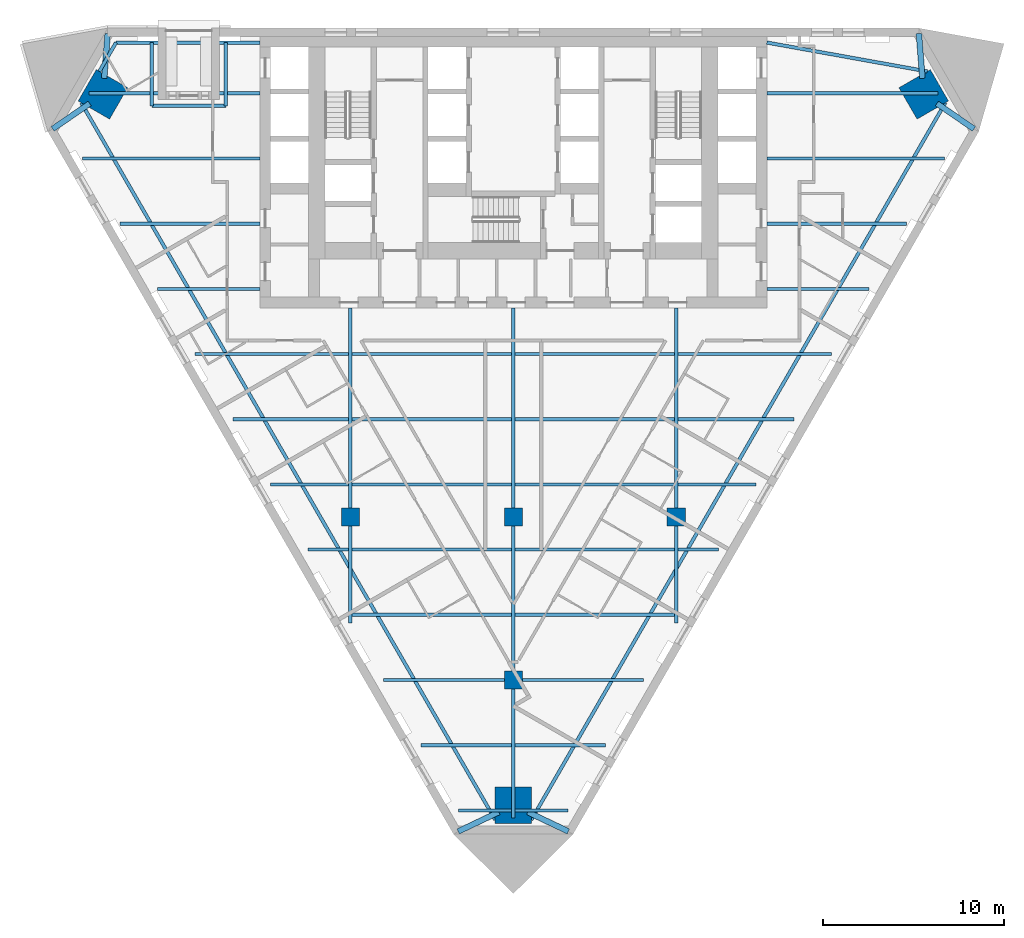
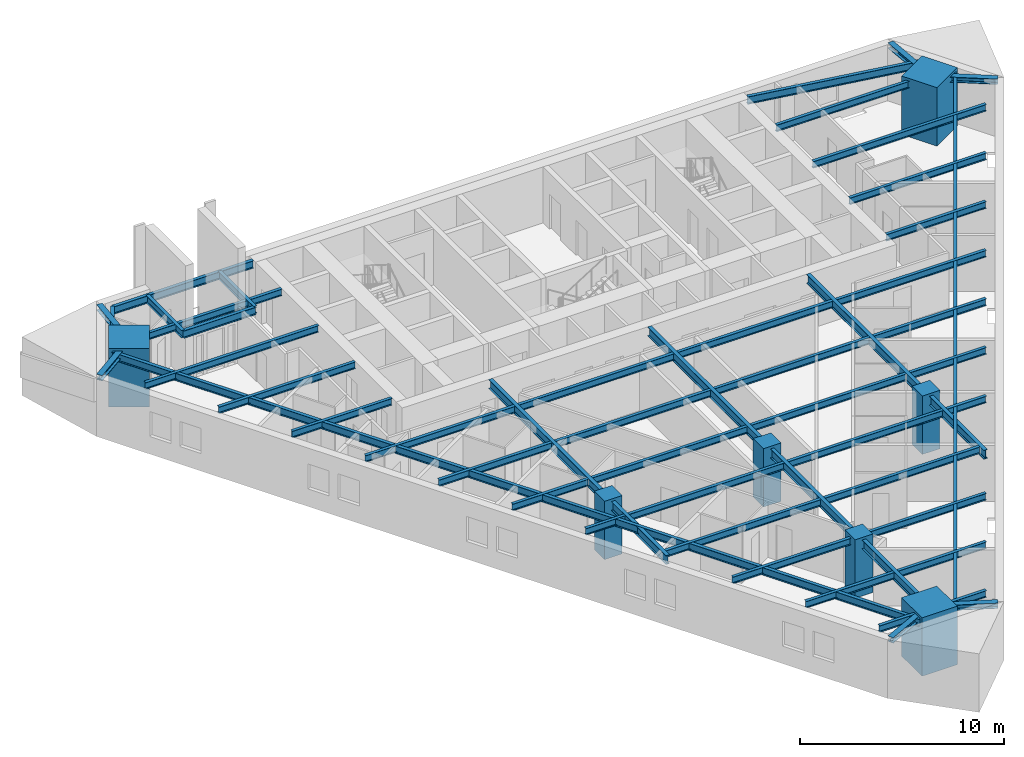
# One storey, part 1 of 10: 53 beams, 7 columns.
"""IFC4 building model written with IfcOpenShell, lengths in metres."""

from ifc_helpers import new_model, si_unit, direction, frame, origin, origin_2d, place, context, subcontext, project, spatial, rectangle, i_section, extrude, material, material_profile, profile_set, type_object, element, save


model = new_model("IFC4")

# Units and contexts
model_context = context("Model", 3, precision=1e-05, world=origin(), true_north=direction((0.0, 1.0)))
body_context = subcontext(model_context, "Body", "Model", "MODEL_VIEW")
ifc_project = project(units=[si_unit("LENGTHUNIT", "METRE"), si_unit("AREAUNIT", "SQUARE_METRE"), si_unit("VOLUMEUNIT", "CUBIC_METRE"), si_unit("PLANEANGLEUNIT", "RADIAN"), si_unit("MASSUNIT", "GRAM", prefix="KILO")], contexts=[model_context])

# Site, building, storey
site_placement = place(None, origin())
site = spatial("IfcSite", under=ifc_project, at=site_placement, CompositionType="ELEMENT")
building_placement = place(site_placement, origin())
building = spatial("IfcBuilding", under=site, at=building_placement, Name="Aloe Facet Convention Tower", CompositionType="ELEMENT")
storey_placement = place(building_placement, frame((0.0, 0.0, 45.5)))
storey = spatial("IfcBuildingStorey", under=building, at=storey_placement, Name="L09", CompositionType="ELEMENT", Elevation=45.5)

# Columns
ifc_material_1 = material(Name="Concrete C70/85", Category="concrete")
ifc_material_profile_1 = material_profile(ifc_material_1, rectangle(XDim=1.0, YDim=1.0, at=origin_2d()), Name="SF-GC-Z1")
ifc_profile_set_1 = profile_set([ifc_material_profile_1], Name="Concrete C70/85")
column_type_1 = type_object("IfcColumnType", Name="SF-GC-Z1", PredefinedType="COLUMN", material=ifc_profile_set_1)
for number, where, z_axis, x_axis, name in (
    (1, (71.0, 108.0, 0.0), (0.0, 0.0, 1.0), (1.0, 0.0, 0.0), "Gravity column GC-Z1-8D"),
    (2, (80.0, 99.0, 0.0), (0.0, 0.0, 1.0), (1.0, 0.0, 0.0), "Gravity column GC-Z1-9E"),
    (3, (80.0, 108.0, 0.0), (0.0, 0.0, 1.0), (1.0, 0.0, 0.0), "Gravity column GC-Z1-9D"),
    (4, (89.0, 108.0, 0.0), (0.0, 0.0, 1.0), (1.0, 0.0, 0.0), "Gravity column GC-Z1-10D"),
):
    element("IfcColumn", number, at=place(storey_placement, frame(where, z_axis=z_axis, x_axis=x_axis)), inside=storey, type_object=column_type_1, Name=name, PredefinedType="COLUMN", context=body_context, shape_type="SweptSolid", body=[
        extrude(rectangle(XDim=1.0, YDim=1.0, at=origin_2d()), origin(), (0.0, 0.0, 1.0), 3.5),
    ])
ifc_material_2 = material(Name="Concrete C80/95", Category="concrete")
ifc_material_profile_2 = material_profile(ifc_material_2, rectangle(XDim=2.0, YDim=2.0, at=origin_2d()), Name="STW-MC-Z1")
ifc_profile_set_2 = profile_set([ifc_material_profile_2], Name="Concrete C80/95")
column_type_2 = type_object("IfcColumnType", Name="STW-MC-Z1", PredefinedType="COLUMN", material=ifc_profile_set_2)
for number, where, z_axis, x_axis, name in (
    (5, (102.664306640625, 131.342041015625, 0.0), (0.0, 0.0, 1.0), (-0.5, 0.866025403784, 0.0), "Mega-column MC-NE-L09"),
    (6, (57.335693359375, 131.342041015625, 0.0), (0.0, 0.0, 1.0), (-0.5, -0.866025403784, 0.0), "Mega-column MC-NW-L09"),
    (7, (80.0, 92.086181640625, 0.0), (0.0, 0.0, 1.0), (1.0, 0.0, 0.0), "Mega-column MC-S-L09"),
):
    element("IfcColumn", number, at=place(storey_placement, frame(where, z_axis=z_axis, x_axis=x_axis)), inside=storey, type_object=column_type_2, Name=name, PredefinedType="COLUMN", context=body_context, shape_type="SweptSolid", body=[
        extrude(rectangle(XDim=2.0, YDim=2.0, at=origin_2d()), origin(), (0.0, 0.0, 1.0), 3.5),
    ])

# Beams
ifc_material_3 = material(Name="Steel S355", Category="steel")
ifc_material_profile_3 = material_profile(ifc_material_3, i_section(OverallWidth=0.177734375, OverallDepth=0.402587890625, WebThickness=0.0078125, FlangeThickness=0.010986328125, FilletRadius=0.01025390625, at=origin_2d()), Name="UB 406x178x54")
ifc_profile_set_3 = profile_set([ifc_material_profile_3], Name="Steel S355")
beam_type_1 = type_object("IfcBeamType", Name="SF-B-UB406x178x54", PredefinedType="BEAM", material=ifc_profile_set_3)
beam_1_placement = place(storey_placement, frame((56.194580078125, 127.800048828125, 3.148681640625), z_axis=(1.0, 0.0, 0.0), x_axis=(0.0, 1.0, 0.0)))
element("IfcBeam", 8, at=beam_1_placement, inside=storey, type_object=beam_type_1, Name="Floor beam FB-Z1D-016", PredefinedType="BEAM", context=body_context, shape_type="SweptSolid", body=[
    extrude(i_section(OverallWidth=0.177734375, OverallDepth=0.402587890625, WebThickness=0.0078125, FlangeThickness=0.010986328125, FilletRadius=0.01025390625, at=origin_2d()), origin(), (0.0, 0.0, 1.0), 9.805419921875),
])
beam_2_placement = place(storey_placement, frame((56.55908203125, 131.39990234375, 3.148681640625), z_axis=(1.0, 0.0, 0.0), x_axis=(0.0, 1.0, 0.0)))
element("IfcBeam", 9, at=beam_2_placement, inside=storey, type_object=beam_type_1, Name="Floor beam FB-Z1D-017", PredefinedType="BEAM", context=body_context, shape_type="SweptSolid", body=[
    extrude(i_section(OverallWidth=0.177734375, OverallDepth=0.402587890625, WebThickness=0.0078125, FlangeThickness=0.010986328125, FilletRadius=0.01025390625, at=origin_2d()), origin(), (0.0, 0.0, 1.0), 9.44091796875),
])
beam_3_placement = place(storey_placement, frame((58.27294921875, 124.199951171875, 3.148681640625), z_axis=(1.0, 0.0, 0.0), x_axis=(0.0, 1.0, 0.0)))
element("IfcBeam", 10, at=beam_3_placement, inside=storey, type_object=beam_type_1, Name="Floor beam FB-Z1D-018", PredefinedType="BEAM", context=body_context, shape_type="SweptSolid", body=[
    extrude(i_section(OverallWidth=0.177734375, OverallDepth=0.402587890625, WebThickness=0.0078125, FlangeThickness=0.010986328125, FilletRadius=0.01025390625, at=origin_2d()), origin(), (0.0, 0.0, 1.0), 7.72705078125),
])
beam_4_placement = place(storey_placement, frame((60.351318359375, 120.60009765625, 3.148681640625), z_axis=(1.0, 0.0, 0.0), x_axis=(0.0, 1.0, 0.0)))
element("IfcBeam", 11, at=beam_4_placement, inside=storey, type_object=beam_type_1, Name="Floor beam FB-Z1D-019", PredefinedType="BEAM", context=body_context, shape_type="SweptSolid", body=[
    extrude(i_section(OverallWidth=0.177734375, OverallDepth=0.402587890625, WebThickness=0.0078125, FlangeThickness=0.010986328125, FilletRadius=0.01025390625, at=origin_2d()), origin(), (0.0, 0.0, 1.0), 5.648681640625),
])
beam_5_placement = place(storey_placement, frame((62.429931640625, 117.0, 3.148681640625), z_axis=(1.0, 0.0, 0.0), x_axis=(0.0, 1.0, 0.0)))
element("IfcBeam", 12, at=beam_5_placement, inside=storey, type_object=beam_type_1, Name="Floor beam FB-Z1D-020", PredefinedType="BEAM", context=body_context, shape_type="SweptSolid", body=[
    extrude(i_section(OverallWidth=0.177734375, OverallDepth=0.402587890625, WebThickness=0.0078125, FlangeThickness=0.010986328125, FilletRadius=0.01025390625, at=origin_2d()), origin(), (0.0, 0.0, 1.0), 8.464599609375),
])
beam_6_placement = place(storey_placement, frame((64.50830078125, 113.39990234375, 3.148681640625), z_axis=(1.0, 0.0, 0.0), x_axis=(0.0, 1.0, 0.0)))
element("IfcBeam", 13, at=beam_6_placement, inside=storey, type_object=beam_type_1, Name="Floor beam FB-Z1D-021", PredefinedType="BEAM", context=body_context, shape_type="SweptSolid", body=[
    extrude(i_section(OverallWidth=0.177734375, OverallDepth=0.402587890625, WebThickness=0.0078125, FlangeThickness=0.010986328125, FilletRadius=0.01025390625, at=origin_2d()), origin(), (0.0, 0.0, 1.0), 6.38623046875),
])
beam_7_placement = place(storey_placement, frame((66.5869140625, 109.800048828125, 3.148681640625), z_axis=(1.0, 0.0, 0.0), x_axis=(0.0, 1.0, 0.0)))
element("IfcBeam", 14, at=beam_7_placement, inside=storey, type_object=beam_type_1, Name="Floor beam FB-Z1D-022", PredefinedType="BEAM", context=body_context, shape_type="SweptSolid", body=[
    extrude(i_section(OverallWidth=0.177734375, OverallDepth=0.402587890625, WebThickness=0.0078125, FlangeThickness=0.010986328125, FilletRadius=0.01025390625, at=origin_2d()), origin(), (0.0, 0.0, 1.0), 4.3076171875),
])
beam_8_placement = place(storey_placement, frame((68.665283203125, 106.199951171875, 3.148681640625), z_axis=(1.0, 0.0, 0.0), x_axis=(0.0, 1.0, 0.0)))
element("IfcBeam", 15, at=beam_8_placement, inside=storey, type_object=beam_type_1, Name="Floor beam FB-Z1D-023", PredefinedType="BEAM", context=body_context, shape_type="SweptSolid", body=[
    extrude(i_section(OverallWidth=0.177734375, OverallDepth=0.402587890625, WebThickness=0.0078125, FlangeThickness=0.010986328125, FilletRadius=0.01025390625, at=origin_2d()), origin(), (0.0, 0.0, 1.0), 2.229248046875),
])
for number, where, z_axis, x_axis, name in (
    (16, (71.10546875, 102.60009765625, 3.148681640625), (1.0, 0.0, 0.0), (0.0, 1.0, 0.0), "Floor beam FB-Z1D-024"),
    (17, (71.10546875, 106.199951171875, 3.148681640625), (1.0, 0.0, 0.0), (0.0, 1.0, 0.0), "Floor beam FB-Z1D-025"),
    (18, (71.10546875, 109.800048828125, 3.148681640625), (1.0, 0.0, 0.0), (0.0, 1.0, 0.0), "Floor beam FB-Z1D-026"),
    (19, (71.10546875, 113.39990234375, 3.148681640625), (1.0, 0.0, 0.0), (0.0, 1.0, 0.0), "Floor beam FB-Z1D-027"),
    (20, (71.10546875, 117.0, 3.148681640625), (1.0, 0.0, 0.0), (0.0, 1.0, 0.0), "Floor beam FB-Z1D-028"),
):
    element("IfcBeam", number, at=place(storey_placement, frame(where, z_axis=z_axis, x_axis=x_axis)), inside=storey, type_object=beam_type_1, Name=name, PredefinedType="BEAM", context=body_context, shape_type="SweptSolid", body=[
        extrude(i_section(OverallWidth=0.177734375, OverallDepth=0.402587890625, WebThickness=0.0078125, FlangeThickness=0.010986328125, FilletRadius=0.01025390625, at=origin_2d()), origin(), (0.0, 0.0, 1.0), 8.7890625),
    ])
beam_9_placement = place(storey_placement, frame((72.822265625, 99.0, 3.148681640625), z_axis=(1.0, 0.0, 0.0), x_axis=(0.0, 1.0, 0.0)))
element("IfcBeam", 21, at=beam_9_placement, inside=storey, type_object=beam_type_1, Name="Floor beam FB-Z1D-029", PredefinedType="BEAM", context=body_context, shape_type="SweptSolid", body=[
    extrude(i_section(OverallWidth=0.177734375, OverallDepth=0.402587890625, WebThickness=0.0078125, FlangeThickness=0.010986328125, FilletRadius=0.01025390625, at=origin_2d()), origin(), (0.0, 0.0, 1.0), 6.677734375),
])
beam_10_placement = place(storey_placement, frame((74.900634765625, 95.39990234375, 3.148681640625), z_axis=(1.0, 0.0, 0.0), x_axis=(0.0, 1.0, 0.0)))
element("IfcBeam", 22, at=beam_10_placement, inside=storey, type_object=beam_type_1, Name="Floor beam FB-Z1D-030", PredefinedType="BEAM", context=body_context, shape_type="SweptSolid", body=[
    extrude(i_section(OverallWidth=0.177734375, OverallDepth=0.402587890625, WebThickness=0.0078125, FlangeThickness=0.010986328125, FilletRadius=0.01025390625, at=origin_2d()), origin(), (0.0, 0.0, 1.0), 4.993896484375),
])
for number, where, z_axis, x_axis, name in (
    (23, (76.97900390625, 91.800048828125, 3.148681640625), (1.0, 0.0, 0.0), (0.0, 1.0, 0.0), "Floor beam FB-Z1D-031"),
    (24, (80.10546875, 91.800048828125, 3.148681640625), (1.0, 0.0, 0.0), (0.0, 1.0, 0.0), "Floor beam FB-Z1D-032"),
):
    element("IfcBeam", number, at=place(storey_placement, frame(where, z_axis=z_axis, x_axis=x_axis)), inside=storey, type_object=beam_type_1, Name=name, PredefinedType="BEAM", context=body_context, shape_type="SweptSolid", body=[
        extrude(i_section(OverallWidth=0.177734375, OverallDepth=0.402587890625, WebThickness=0.0078125, FlangeThickness=0.010986328125, FilletRadius=0.01025390625, at=origin_2d()), origin(), (0.0, 0.0, 1.0), 2.91552734375),
    ])
beam_11_placement = place(storey_placement, frame((80.10546875, 95.39990234375, 3.148681640625), z_axis=(1.0, 0.0, 0.0), x_axis=(0.0, 1.0, 0.0)))
element("IfcBeam", 25, at=beam_11_placement, inside=storey, type_object=beam_type_1, Name="Floor beam FB-Z1D-033", PredefinedType="BEAM", context=body_context, shape_type="SweptSolid", body=[
    extrude(i_section(OverallWidth=0.177734375, OverallDepth=0.402587890625, WebThickness=0.0078125, FlangeThickness=0.010986328125, FilletRadius=0.01025390625, at=origin_2d()), origin(), (0.0, 0.0, 1.0), 4.993896484375),
])
for number, where, z_axis, x_axis, name in (
    (26, (80.10546875, 102.60009765625, 3.148681640625), (1.0, 0.0, 0.0), (0.0, 1.0, 0.0), "Floor beam FB-Z1D-034"),
    (27, (80.10546875, 106.199951171875, 3.148681640625), (1.0, 0.0, 0.0), (0.0, 1.0, 0.0), "Floor beam FB-Z1D-035"),
    (28, (80.10546875, 109.800048828125, 3.148681640625), (1.0, 0.0, 0.0), (0.0, 1.0, 0.0), "Floor beam FB-Z1D-036"),
    (29, (80.10546875, 113.39990234375, 3.148681640625), (1.0, 0.0, 0.0), (0.0, 1.0, 0.0), "Floor beam FB-Z1D-037"),
    (30, (80.10546875, 117.0, 3.148681640625), (1.0, 0.0, 0.0), (0.0, 1.0, 0.0), "Floor beam FB-Z1D-038"),
):
    element("IfcBeam", number, at=place(storey_placement, frame(where, z_axis=z_axis, x_axis=x_axis)), inside=storey, type_object=beam_type_1, Name=name, PredefinedType="BEAM", context=body_context, shape_type="SweptSolid", body=[
        extrude(i_section(OverallWidth=0.177734375, OverallDepth=0.402587890625, WebThickness=0.0078125, FlangeThickness=0.010986328125, FilletRadius=0.01025390625, at=origin_2d()), origin(), (0.0, 0.0, 1.0), 8.7890625),
    ])
beam_12_placement = place(storey_placement, frame((80.5, 99.0, 3.148681640625), z_axis=(1.0, 0.0, 0.0), x_axis=(0.0, 1.0, 0.0)))
element("IfcBeam", 31, at=beam_12_placement, inside=storey, type_object=beam_type_1, Name="Floor beam FB-Z1D-039", PredefinedType="BEAM", context=body_context, shape_type="SweptSolid", body=[
    extrude(i_section(OverallWidth=0.177734375, OverallDepth=0.402587890625, WebThickness=0.0078125, FlangeThickness=0.010986328125, FilletRadius=0.01025390625, at=origin_2d()), origin(), (0.0, 0.0, 1.0), 6.677734375),
])
beam_13_placement = place(storey_placement, frame((89.10546875, 106.199951171875, 3.148681640625), z_axis=(1.0, 0.0, 0.0), x_axis=(0.0, 1.0, 0.0)))
element("IfcBeam", 32, at=beam_13_placement, inside=storey, type_object=beam_type_1, Name="Floor beam FB-Z1D-040", PredefinedType="BEAM", context=body_context, shape_type="SweptSolid", body=[
    extrude(i_section(OverallWidth=0.177734375, OverallDepth=0.402587890625, WebThickness=0.0078125, FlangeThickness=0.010986328125, FilletRadius=0.01025390625, at=origin_2d()), origin(), (0.0, 0.0, 1.0), 2.229248046875),
])
beam_14_placement = place(storey_placement, frame((89.10546875, 109.800048828125, 3.148681640625), z_axis=(1.0, 0.0, 0.0), x_axis=(0.0, 1.0, 0.0)))
element("IfcBeam", 33, at=beam_14_placement, inside=storey, type_object=beam_type_1, Name="Floor beam FB-Z1D-041", PredefinedType="BEAM", context=body_context, shape_type="SweptSolid", body=[
    extrude(i_section(OverallWidth=0.177734375, OverallDepth=0.402587890625, WebThickness=0.0078125, FlangeThickness=0.010986328125, FilletRadius=0.01025390625, at=origin_2d()), origin(), (0.0, 0.0, 1.0), 4.3076171875),
])
beam_15_placement = place(storey_placement, frame((89.10546875, 113.39990234375, 3.148681640625), z_axis=(1.0, 0.0, 0.0), x_axis=(0.0, 1.0, 0.0)))
element("IfcBeam", 34, at=beam_15_placement, inside=storey, type_object=beam_type_1, Name="Floor beam FB-Z1D-042", PredefinedType="BEAM", context=body_context, shape_type="SweptSolid", body=[
    extrude(i_section(OverallWidth=0.177734375, OverallDepth=0.402587890625, WebThickness=0.0078125, FlangeThickness=0.010986328125, FilletRadius=0.01025390625, at=origin_2d()), origin(), (0.0, 0.0, 1.0), 6.38623046875),
])
beam_16_placement = place(storey_placement, frame((89.10546875, 117.0, 3.148681640625), z_axis=(1.0, 0.0, 0.0), x_axis=(0.0, 1.0, 0.0)))
element("IfcBeam", 35, at=beam_16_placement, inside=storey, type_object=beam_type_1, Name="Floor beam FB-Z1D-043", PredefinedType="BEAM", context=body_context, shape_type="SweptSolid", body=[
    extrude(i_section(OverallWidth=0.177734375, OverallDepth=0.402587890625, WebThickness=0.0078125, FlangeThickness=0.010986328125, FilletRadius=0.01025390625, at=origin_2d()), origin(), (0.0, 0.0, 1.0), 8.464599609375),
])
beam_17_placement = place(storey_placement, frame((94.0, 120.60009765625, 3.148681640625), z_axis=(1.0, 0.0, 0.0), x_axis=(0.0, 1.0, 0.0)))
element("IfcBeam", 36, at=beam_17_placement, inside=storey, type_object=beam_type_1, Name="Floor beam FB-Z1D-044", PredefinedType="BEAM", context=body_context, shape_type="SweptSolid", body=[
    extrude(i_section(OverallWidth=0.177734375, OverallDepth=0.402587890625, WebThickness=0.0078125, FlangeThickness=0.010986328125, FilletRadius=0.01025390625, at=origin_2d()), origin(), (0.0, 0.0, 1.0), 5.648681640625),
])
beam_18_placement = place(storey_placement, frame((94.0, 124.199951171875, 3.148681640625), z_axis=(1.0, 0.0, 0.0), x_axis=(0.0, 1.0, 0.0)))
element("IfcBeam", 37, at=beam_18_placement, inside=storey, type_object=beam_type_1, Name="Floor beam FB-Z1D-045", PredefinedType="BEAM", context=body_context, shape_type="SweptSolid", body=[
    extrude(i_section(OverallWidth=0.177734375, OverallDepth=0.402587890625, WebThickness=0.0078125, FlangeThickness=0.010986328125, FilletRadius=0.01025390625, at=origin_2d()), origin(), (0.0, 0.0, 1.0), 7.72705078125),
])
beam_19_placement = place(storey_placement, frame((94.0, 127.800048828125, 3.148681640625), z_axis=(1.0, 0.0, 0.0), x_axis=(0.0, 1.0, 0.0)))
element("IfcBeam", 38, at=beam_19_placement, inside=storey, type_object=beam_type_1, Name="Floor beam FB-Z1D-046", PredefinedType="BEAM", context=body_context, shape_type="SweptSolid", body=[
    extrude(i_section(OverallWidth=0.177734375, OverallDepth=0.402587890625, WebThickness=0.0078125, FlangeThickness=0.010986328125, FilletRadius=0.01025390625, at=origin_2d()), origin(), (0.0, 0.0, 1.0), 9.805419921875),
])
beam_20_placement = place(storey_placement, frame((94.0, 131.39990234375, 3.148681640625), z_axis=(1.0, 0.0, 0.0), x_axis=(0.0, 1.0, 0.0)))
element("IfcBeam", 39, at=beam_20_placement, inside=storey, type_object=beam_type_1, Name="Floor beam FB-Z1D-047", PredefinedType="BEAM", context=body_context, shape_type="SweptSolid", body=[
    extrude(i_section(OverallWidth=0.177734375, OverallDepth=0.402587890625, WebThickness=0.0078125, FlangeThickness=0.010986328125, FilletRadius=0.01025390625, at=origin_2d()), origin(), (0.0, 0.0, 1.0), 9.44091796875),
])
ifc_material_4 = material(Name="Steel S355", Category="steel")
ifc_material_profile_4 = material_profile(ifc_material_4, i_section(OverallWidth=0.18994140625, OverallDepth=0.453369140625, WebThickness=0.008544921875, FlangeThickness=0.0126953125, FilletRadius=0.01025390625, at=origin_2d()), Name="UB 457x191x67")
ifc_profile_set_4 = profile_set([ifc_material_profile_4], Name="Steel S355")
beam_type_2 = type_object("IfcBeamType", Name="SF-B-UB457x191x67", PredefinedType="BEAM", material=ifc_profile_set_4)
beam_21_placement = place(storey_placement, frame((57.138427734375, 132.610595703125, 3.123291015625), z_axis=(0.500032359733, 0.866006720078, 0.0), x_axis=(-0.866006720078, 0.500032359733, 0.0)))
element("IfcBeam", 40, at=beam_21_placement, inside=storey, type_object=beam_type_2, Name="Floor beam FB-Z1D-001", PredefinedType="BEAM", context=body_context, shape_type="SweptSolid", body=[
    extrude(i_section(OverallWidth=0.18994140625, OverallDepth=0.453369140625, WebThickness=0.008544921875, FlangeThickness=0.0126953125, FilletRadius=0.01025390625, at=origin_2d()), origin(), (0.0, 0.0, 1.0), 1.84130859375),
])
beam_22_placement = place(storey_placement, frame((58.05908203125, 134.205078125, 3.123291015625), z_axis=(1.0, 0.0, 0.0), x_axis=(0.0, 1.0, 0.0)))
element("IfcBeam", 41, at=beam_22_placement, inside=storey, type_object=beam_type_2, Name="Floor beam FB-Z1D-002", PredefinedType="BEAM", context=body_context, shape_type="SweptSolid", body=[
    extrude(i_section(OverallWidth=0.18994140625, OverallDepth=0.453369140625, WebThickness=0.008544921875, FlangeThickness=0.0126953125, FilletRadius=0.01025390625, at=origin_2d()), origin(), (0.0, 0.0, 1.0), 7.94091796875),
])
beam_23_placement = place(storey_placement, frame((60.034912109375, 130.705078125, 3.123291015625), z_axis=(1.0, 0.0, 0.0), x_axis=(0.0, 1.0, 0.0)))
element("IfcBeam", 42, at=beam_23_placement, inside=storey, type_object=beam_type_2, Name="Floor beam FB-Z1D-003", PredefinedType="BEAM", context=body_context, shape_type="SweptSolid", body=[
    extrude(i_section(OverallWidth=0.18994140625, OverallDepth=0.453369140625, WebThickness=0.008544921875, FlangeThickness=0.0126953125, FilletRadius=0.01025390625, at=origin_2d()), origin(), (0.0, 0.0, 1.0), 4.090087890625),
])
for number, where, z_axis, x_axis, name in (
    (43, (60.034912109375, 134.205078125, 3.123291015625), (0.0, -1.0, 0.0), (1.0, 0.0, 0.0), "Floor beam FB-Z1D-004"),
    (44, (64.125, 130.705078125, 3.123291015625), (0.0, 1.0, 0.0), (-1.0, 0.0, 0.0), "Floor beam FB-Z1D-005"),
):
    element("IfcBeam", number, at=place(storey_placement, frame(where, z_axis=z_axis, x_axis=x_axis)), inside=storey, type_object=beam_type_2, Name=name, PredefinedType="BEAM", context=body_context, shape_type="SweptSolid", body=[
        extrude(i_section(OverallWidth=0.18994140625, OverallDepth=0.453369140625, WebThickness=0.008544921875, FlangeThickness=0.0126953125, FilletRadius=0.01025390625, at=origin_2d()), origin(), (0.0, 0.0, 1.0), 3.5),
    ])
beam_24_placement = place(storey_placement, frame((79.0, 91.28125, 3.123291015625), z_axis=(-0.499999929878, 0.866025444269, 0.0), x_axis=(-0.866025444269, -0.499999929878, 0.0)))
element("IfcBeam", 45, at=beam_24_placement, inside=storey, type_object=beam_type_2, Name="Floor beam FB-Z1D-006", PredefinedType="BEAM", context=body_context, shape_type="SweptSolid", body=[
    extrude(i_section(OverallWidth=0.18994140625, OverallDepth=0.453369140625, WebThickness=0.008544921875, FlangeThickness=0.0126953125, FilletRadius=0.01025390625, at=origin_2d()), origin(), (0.0, 0.0, 1.0), 45.72314453125),
])
beam_25_placement = place(storey_placement, frame((102.861572265625, 132.610595703125, 3.123291015625), z_axis=(-0.984194951593, 0.177088388265, 0.0), x_axis=(-0.177088388265, -0.984194951593, 0.0)))
element("IfcBeam", 46, at=beam_25_placement, inside=storey, type_object=beam_type_2, Name="Floor beam FB-Z1D-007", PredefinedType="BEAM", context=body_context, shape_type="SweptSolid", body=[
    extrude(i_section(OverallWidth=0.18994140625, OverallDepth=0.453369140625, WebThickness=0.008544921875, FlangeThickness=0.0126953125, FilletRadius=0.01025390625, at=origin_2d()), origin(), (0.0, 0.0, 1.0), 9.00390625),
])
beam_26_placement = place(storey_placement, frame((103.861572265625, 130.878662109375, 3.123291015625), z_axis=(-0.499999929878, -0.866025444269, 0.0), x_axis=(0.866025444269, -0.499999929878, 0.0)))
element("IfcBeam", 47, at=beam_26_placement, inside=storey, type_object=beam_type_2, Name="Floor beam FB-Z1D-008", PredefinedType="BEAM", context=body_context, shape_type="SweptSolid", body=[
    extrude(i_section(OverallWidth=0.18994140625, OverallDepth=0.453369140625, WebThickness=0.008544921875, FlangeThickness=0.0126953125, FilletRadius=0.01025390625, at=origin_2d()), origin(), (0.0, 0.0, 1.0), 45.72314453125),
])
ifc_material_5 = material(Name="Steel S355", Category="steel")
ifc_material_profile_5 = material_profile(ifc_material_5, i_section(OverallWidth=0.210693359375, OverallDepth=0.53955078125, WebThickness=0.01171875, FlangeThickness=0.018798828125, FilletRadius=0.0126953125, at=origin_2d()), Name="UB 533x210x109")
ifc_profile_set_5 = profile_set([ifc_material_profile_5], Name="Steel S355")
beam_type_3 = type_object("IfcBeamType", Name="SF-B-UB533x210x109", PredefinedType="BEAM", material=ifc_profile_set_5)
beam_27_placement = place(storey_placement, frame((71.0, 107.5, 3.080078125), z_axis=(0.0, -1.0, 0.0), x_axis=(1.0, 0.0, 0.0)))
element("IfcBeam", 48, at=beam_27_placement, inside=storey, type_object=beam_type_3, Name="Floor beam FB-Z1D-009", PredefinedType="BEAM", context=body_context, shape_type="SweptSolid", body=[
    extrude(i_section(OverallWidth=0.210693359375, OverallDepth=0.53955078125, WebThickness=0.01171875, FlangeThickness=0.018798828125, FilletRadius=0.0126953125, at=origin_2d()), origin(), (0.0, 0.0, 1.0), 5.351318359375),
])
beam_28_placement = place(storey_placement, frame((71.0, 119.550048828125, 3.080078125), z_axis=(0.0, -1.0, 0.0), x_axis=(1.0, 0.0, 0.0)))
element("IfcBeam", 49, at=beam_28_placement, inside=storey, type_object=beam_type_3, Name="Floor beam FB-Z1D-010", PredefinedType="BEAM", context=body_context, shape_type="SweptSolid", body=[
    extrude(i_section(OverallWidth=0.210693359375, OverallDepth=0.53955078125, WebThickness=0.01171875, FlangeThickness=0.018798828125, FilletRadius=0.0126953125, at=origin_2d()), origin(), (0.0, 0.0, 1.0), 11.050048828125),
])
beam_29_placement = place(storey_placement, frame((80.0, 98.5, 3.080078125), z_axis=(0.0, -1.0, 0.0), x_axis=(1.0, 0.0, 0.0)))
element("IfcBeam", 50, at=beam_29_placement, inside=storey, type_object=beam_type_3, Name="Floor beam FB-Z1D-011", PredefinedType="BEAM", context=body_context, shape_type="SweptSolid", body=[
    extrude(i_section(OverallWidth=0.210693359375, OverallDepth=0.53955078125, WebThickness=0.01171875, FlangeThickness=0.018798828125, FilletRadius=0.0126953125, at=origin_2d()), origin(), (0.0, 0.0, 1.0), 7.11376953125),
])
beam_30_placement = place(storey_placement, frame((80.0, 107.5, 3.080078125), z_axis=(0.0, -1.0, 0.0), x_axis=(1.0, 0.0, 0.0)))
element("IfcBeam", 51, at=beam_30_placement, inside=storey, type_object=beam_type_3, Name="Floor beam FB-Z1D-012", PredefinedType="BEAM", context=body_context, shape_type="SweptSolid", body=[
    extrude(i_section(OverallWidth=0.210693359375, OverallDepth=0.53955078125, WebThickness=0.01171875, FlangeThickness=0.018798828125, FilletRadius=0.0126953125, at=origin_2d()), origin(), (0.0, 0.0, 1.0), 8.0),
])
beam_31_placement = place(storey_placement, frame((80.0, 119.550048828125, 3.080078125), z_axis=(0.0, -1.0, 0.0), x_axis=(1.0, 0.0, 0.0)))
element("IfcBeam", 52, at=beam_31_placement, inside=storey, type_object=beam_type_3, Name="Floor beam FB-Z1D-013", PredefinedType="BEAM", context=body_context, shape_type="SweptSolid", body=[
    extrude(i_section(OverallWidth=0.210693359375, OverallDepth=0.53955078125, WebThickness=0.01171875, FlangeThickness=0.018798828125, FilletRadius=0.0126953125, at=origin_2d()), origin(), (0.0, 0.0, 1.0), 11.050048828125),
])
beam_32_placement = place(storey_placement, frame((89.0, 107.5, 3.080078125), z_axis=(0.0, -1.0, 0.0), x_axis=(1.0, 0.0, 0.0)))
element("IfcBeam", 53, at=beam_32_placement, inside=storey, type_object=beam_type_3, Name="Floor beam FB-Z1D-014", PredefinedType="BEAM", context=body_context, shape_type="SweptSolid", body=[
    extrude(i_section(OverallWidth=0.210693359375, OverallDepth=0.53955078125, WebThickness=0.01171875, FlangeThickness=0.018798828125, FilletRadius=0.0126953125, at=origin_2d()), origin(), (0.0, 0.0, 1.0), 5.351318359375),
])
beam_33_placement = place(storey_placement, frame((89.0, 119.550048828125, 3.080078125), z_axis=(0.0, -1.0, 0.0), x_axis=(1.0, 0.0, 0.0)))
element("IfcBeam", 54, at=beam_33_placement, inside=storey, type_object=beam_type_3, Name="Floor beam FB-Z1D-015", PredefinedType="BEAM", context=body_context, shape_type="SweptSolid", body=[
    extrude(i_section(OverallWidth=0.210693359375, OverallDepth=0.53955078125, WebThickness=0.01171875, FlangeThickness=0.018798828125, FilletRadius=0.0126953125, at=origin_2d()), origin(), (0.0, 0.0, 1.0), 11.050048828125),
])
ifc_material_6 = material(Name="Steel S355", Category="steel")
ifc_material_profile_6 = material_profile(ifc_material_6, i_section(OverallWidth=0.311279296875, OverallDepth=0.3271484375, WebThickness=0.015869140625, FlangeThickness=0.02490234375, FilletRadius=0.01513671875, at=origin_2d()), Name="UC 305x305x158")
ifc_profile_set_6 = profile_set([ifc_material_profile_6], Name="Steel S355")
beam_type_4 = type_object("IfcBeamType", Name="STW-NT", PredefinedType="BEAM", material=ifc_profile_set_6)
for number, where, z_axis, x_axis, name in (
    (55, (102.39990234375, 134.699951171875, 3.1865234375), (0.078501810629, -0.996913971077, 0.0), (0.996913971077, 0.078501810629, 0.0), "Lattice tie NT-Z1-F1-R2-01"),
    (56, (57.60009765625, 134.699951171875, 3.1865234375), (-0.078501810629, -0.996913971077, 0.0), (0.996913971077, -0.078501810629, 0.0), "Lattice tie NT-Z1-F1-R2-06"),
):
    element("IfcBeam", number, at=place(storey_placement, frame(where, z_axis=z_axis, x_axis=x_axis)), inside=storey, type_object=beam_type_4, Name=name, PredefinedType="BEAM", context=body_context, shape_type="SweptSolid", body=[
        extrude(i_section(OverallWidth=0.311279296875, OverallDepth=0.3271484375, WebThickness=0.015869140625, FlangeThickness=0.02490234375, FilletRadius=0.01513671875, at=origin_2d()), origin(), (0.0, 0.0, 1.0), 2.481689453125),
    ])
for number, where, z_axis, x_axis, name in (
    (57, (54.559814453125, 129.434326171875, 3.1865234375), (0.824128019393, 0.566403573128, 0.0), (-0.566403573128, 0.824128019393, 0.0), "Lattice tie NT-Z1-F2-R2-01"),
    (58, (76.959716796875, 90.63623046875, 3.1865234375), (0.902574868397, 0.430532933628, 0.0), (-0.430532933628, 0.902574868397, 0.0), "Lattice tie NT-Z1-F2-R2-06"),
    (59, (83.040283203125, 90.63623046875, 3.1865234375), (-0.902574868397, 0.430532933628, 0.0), (-0.430532933628, -0.902574868397, 0.0), "Lattice tie NT-Z1-F3-R2-01"),
    (60, (105.440185546875, 129.434326171875, 3.1865234375), (-0.824128019393, 0.566403573128, 0.0), (-0.566403573128, -0.824128019393, 0.0), "Lattice tie NT-Z1-F3-R2-06"),
):
    element("IfcBeam", number, at=place(storey_placement, frame(where, z_axis=z_axis, x_axis=x_axis)), inside=storey, type_object=beam_type_4, Name=name, PredefinedType="BEAM", context=body_context, shape_type="SweptSolid", body=[
        extrude(i_section(OverallWidth=0.311279296875, OverallDepth=0.3271484375, WebThickness=0.015869140625, FlangeThickness=0.02490234375, FilletRadius=0.01513671875, at=origin_2d()), origin(), (0.0, 0.0, 1.0), 2.48193359375),
    ])

save(model, "model.ifc")
